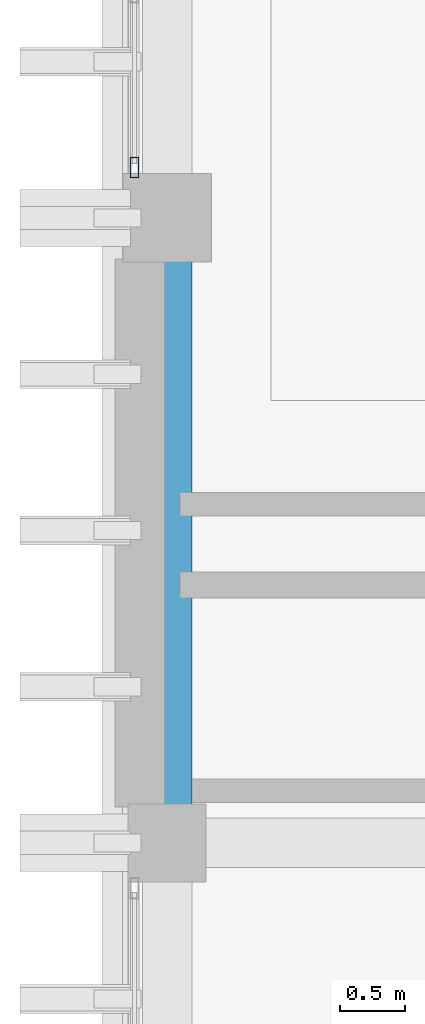
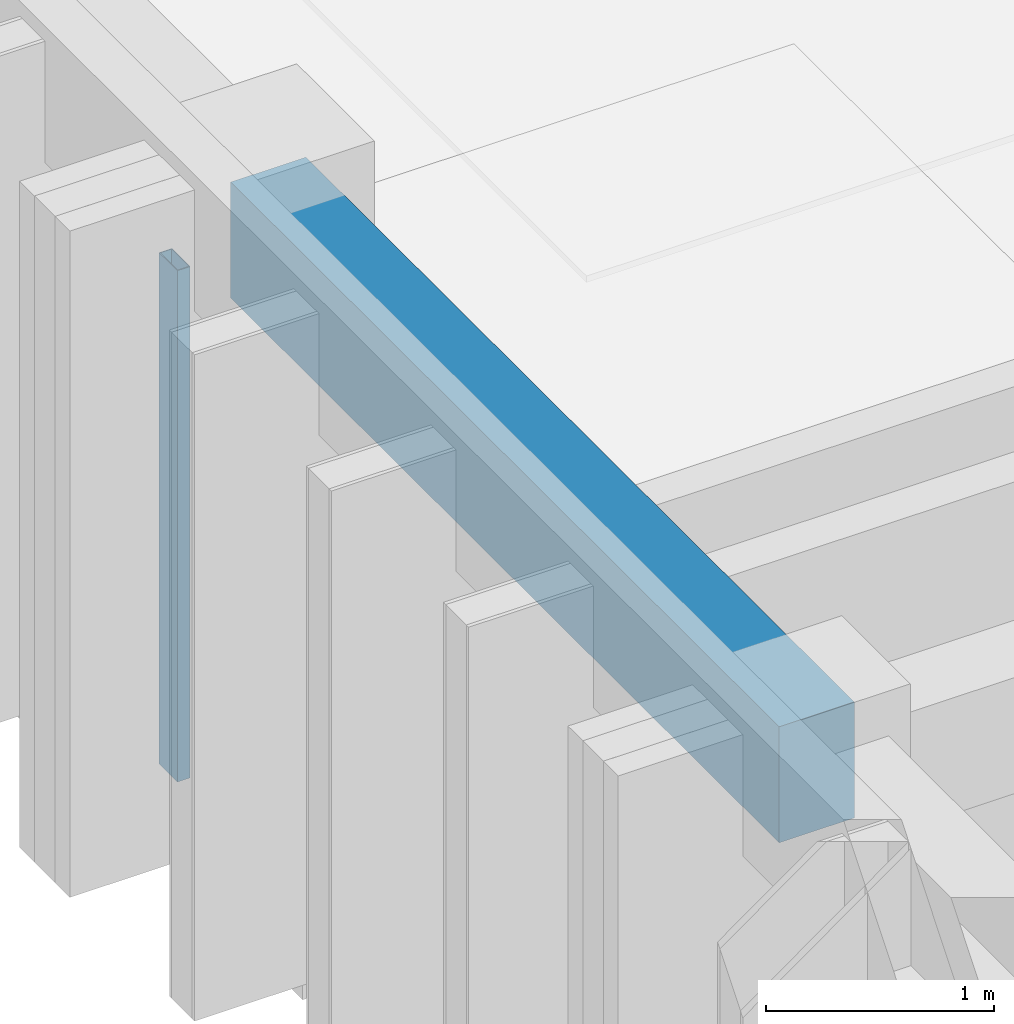
# One storey, part 27 of 53: 1 beam, 1 member, 1 element without a shape of its own.
"""IFC4 building model written with IfcOpenShell, lengths in metres."""

from ifc_helpers import new_model, si_unit, direction, frame, origin, origin_2d, place, context, subcontext, project, spatial, rectangle, hollow_rectangle, extrude, material, layer, layer_set, material_profile, profile_set, type_object, element, aggregate, save


model = new_model("IFC4")

# Units and contexts
model_context = context("Model", 3, precision=1e-05, world=origin(), true_north=direction((0.0, 1.0)))
body_context = subcontext(model_context, "Body", "Model", "MODEL_VIEW")
ifc_project = project(units=[si_unit("LENGTHUNIT", "METRE"), si_unit("AREAUNIT", "SQUARE_METRE"), si_unit("VOLUMEUNIT", "CUBIC_METRE"), si_unit("PLANEANGLEUNIT", "RADIAN"), si_unit("MASSUNIT", "GRAM", prefix="KILO")], contexts=[model_context])

# Site, building, storey
site_placement = place(None, origin())
site = spatial("IfcSite", under=ifc_project, at=site_placement, CompositionType="ELEMENT")
building_placement = place(site_placement, origin())
building = spatial("IfcBuilding", under=site, at=building_placement, Name="Nakhvara Creek Congress Hotel", CompositionType="ELEMENT")
storey_placement = place(building_placement, frame((0.0, 0.0, 35.39990234375)))
storey = spatial("IfcBuildingStorey", under=building, at=storey_placement, Name="L08", CompositionType="ELEMENT", Elevation=35.39990234375)

# Beam
ifc_material_1 = material(Name="Concrete C40/50", Category="concrete")
ifc_material_profile_1 = material_profile(ifc_material_1, rectangle(XDim=0.3798828125, YDim=0.6201171875, at=origin_2d()), Name="RC-BM 380x620", Category="LoadBearing")
ifc_profile_set_1 = profile_set([ifc_material_profile_1], Name="Concrete C40/50")
beam_type = type_object("IfcBeamType", Name="BM-RC-380X620", PredefinedType="BEAM", material=ifc_profile_set_1)
beam_placement = place(storey_placement, frame((149.449951171875, 100.800048828125, 3.050048828125), z_axis=(0.0, 1.0, 0.0), x_axis=(-1.0, 0.0, 0.0)))
element("IfcBeam", 1, at=beam_placement, inside=storey, type_object=beam_type, Name="Beam B10-L08-2443", PredefinedType="BEAM", context=body_context, shape_type="SweptSolid", body=[
    extrude(rectangle(XDim=0.3798828125, YDim=0.6201171875, at=origin_2d()), origin(), (0.0, 0.0, 1.0), 4.800048828125),
])

# Curtain wall, member
ifc_material_2 = material(Name="Bronze-anodised aluminium AW-6063-T6 and double-silver low-E glass", Category="aluminium")
ifc_layer = layer(ifc_material_2, 0.199951171875)
ifc_layer_set = layer_set([ifc_layer], Name="Bronze-anodised aluminium AW-6063-T6 and double-silver low-E glass")
curtain_wall_type = type_object("IfcCurtainWallType", Name="CW-HTL-UNIT", PredefinedType="USERDEFINED", material=ifc_layer_set)
curtain_wall_placement = place(storey_placement, origin())
curtain_wall = element("IfcCurtainWall", 2, at=curtain_wall_placement, inside=storey, type_object=curtain_wall_type, Name="Curtain Wall CW290", ObjectType="UNITISED", PredefinedType="USERDEFINED")
ifc_material_3 = material(Name="Bronze-anodised aluminium AW-6063-T6", Category="aluminium")
ifc_material_profile_2 = material_profile(ifc_material_3, hollow_rectangle(XDim=0.06494140625, YDim=0.159912109375, WallThickness=0.00390625, at=origin_2d()), Name="ALU-MULL 65x160x4", Category="LoadBearing")
ifc_profile_set_2 = profile_set([ifc_material_profile_2], Name="Bronze-anodised aluminium AW-6063-T6")
member_type = type_object("IfcMemberType", Name="CW-MULL-160", PredefinedType="MULLION", material=ifc_profile_set_2)
member_placement = place(storey_placement, frame((149.199951171875, 105.987548828125, 0.0), z_axis=(0.0, 0.0, 1.0), x_axis=(-1.0, 0.0, 0.0)))
member = element("IfcMember", 3, at=member_placement, type_object=member_type, Name="CW290 mullion 1", PredefinedType="MULLION", context=body_context, shape_type="SweptSolid", body=[
    extrude(hollow_rectangle(XDim=0.06494140625, YDim=0.159912109375, WallThickness=0.00390625, at=origin_2d()), origin(), (0.0, 0.0, 1.0), 2.732177734375),
])
aggregate(curtain_wall, [member])

save(model, "model.ifc")
